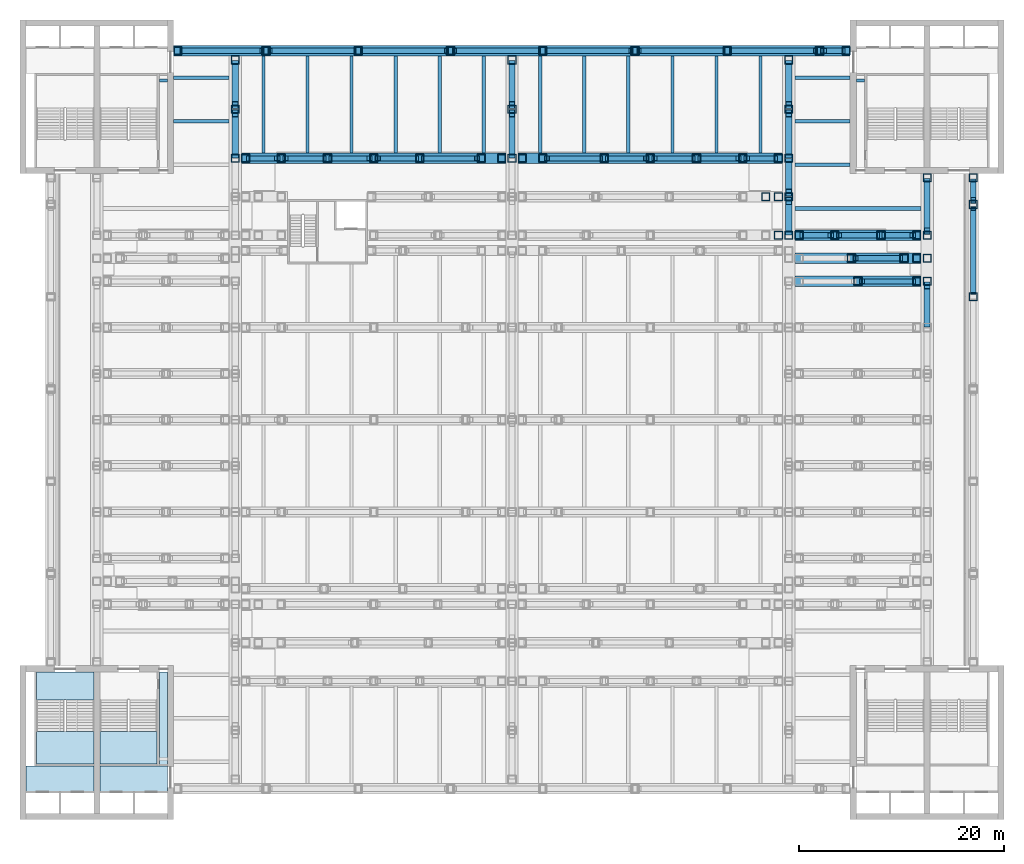
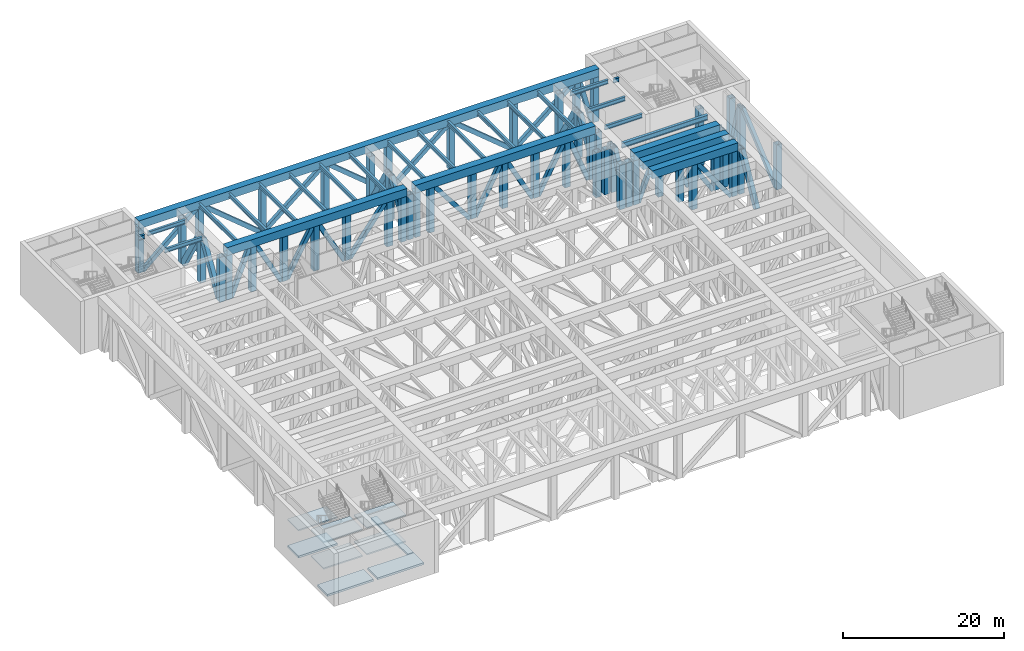
# One storey, part 5 of 20: 94 members, 20 beams, 9 slabs, 2 elements without a shape of their own.
"""IFC4 building model written with IfcOpenShell, lengths in metres."""

from ifc_helpers import new_model, si_unit, direction, frame, origin, origin_2d, place, context, subcontext, project, spatial, polyline, hollow_rectangle, i_section, outline, extrude, material, layer, layer_set, material_profile, profile_set, type_object, element, aggregate, save


model = new_model("IFC4")

# Units and contexts
model_context = context("Model", 3, precision=1e-05, world=origin(), true_north=direction((0.0, 1.0)))
body_context = subcontext(model_context, "Body", "Model", "MODEL_VIEW")
ifc_project = project(units=[si_unit("LENGTHUNIT", "METRE"), si_unit("AREAUNIT", "SQUARE_METRE"), si_unit("VOLUMEUNIT", "CUBIC_METRE"), si_unit("PLANEANGLEUNIT", "RADIAN"), si_unit("MASSUNIT", "GRAM", prefix="KILO")], contexts=[model_context])

# Site, building, storey
site_placement = place(None, origin())
site = spatial("IfcSite", under=ifc_project, at=site_placement, CompositionType="ELEMENT")
building_placement = place(site_placement, origin())
building = spatial("IfcBuilding", under=site, at=building_placement, Name="Corbelhall Arena Tower", CompositionType="ELEMENT")
storey_placement = place(building_placement, frame((0.0, 0.0, 52.0)))
storey = spatial("IfcBuildingStorey", under=building, at=storey_placement, Name="L07", CompositionType="ELEMENT", Elevation=52.0)

# Beams
ifc_material_1 = material(Name="Steel ASTM A992 Gr50", Category="steel")
ifc_material_profile_1 = material_profile(ifc_material_1, i_section(OverallWidth=0.323974609375, OverallDepth=0.611083984375, WebThickness=0.0126953125, FlangeThickness=0.01904296875, at=origin_2d()))
ifc_profile_set_1 = profile_set([ifc_material_profile_1], Name="Steel ASTM A992 Gr50")
beam_type_1 = type_object("IfcBeamType", Name="PO-BEAM-W24X104", PredefinedType="BEAM", material=ifc_profile_set_1)
for number, where, z_axis, x_axis, name in (
    (1, (-33.0, 29.125, 7.39453125), (1.0, 0.0, 0.0), (0.0, 1.0, 0.0), "DECK BEAM TOP 13.3"),
    (2, (-33.0, 33.375, 7.39453125), (1.0, 0.0, 0.0), (0.0, 1.0, 0.0), "DECK BEAM TOP 13.4"),
):
    element("IfcBeam", number, at=place(storey_placement, frame(where, z_axis=z_axis, x_axis=x_axis)), inside=storey, type_object=beam_type_1, Name=name, PredefinedType="BEAM", context=body_context, shape_type="SweptSolid", body=[
        extrude(i_section(OverallWidth=0.323974609375, OverallDepth=0.611083984375, WebThickness=0.0126953125, FlangeThickness=0.01904296875, at=origin_2d()), origin(), (0.0, 0.0, 1.0), 5.39990234375),
    ])
for number, where, z_axis, x_axis, name in (
    (3, (-24.25, 26.0, 7.39453125), (0.0, 1.0, 0.0), (-1.0, 0.0, 0.0), "DECK BEAM TOP 24.1"),
    (4, (-19.949951171875, 26.0, 7.39453125), (0.0, 1.0, 0.0), (-1.0, 0.0, 0.0), "DECK BEAM TOP 24.2"),
    (5, (-15.64990234375, 26.0, 7.39453125), (0.0, 1.0, 0.0), (-1.0, 0.0, 0.0), "DECK BEAM TOP 24.3"),
    (6, (-11.35009765625, 26.0, 7.39453125), (0.0, 1.0, 0.0), (-1.0, 0.0, 0.0), "DECK BEAM TOP 24.4"),
    (7, (-7.050048828125, 26.0, 7.39453125), (0.0, 1.0, 0.0), (-1.0, 0.0, 0.0), "DECK BEAM TOP 24.5"),
    (8, (-2.75, 26.0, 7.39453125), (0.0, 1.0, 0.0), (-1.0, 0.0, 0.0), "DECK BEAM TOP 24.6"),
    (9, (2.75, 26.0, 7.39453125), (0.0, 1.0, 0.0), (-1.0, 0.0, 0.0), "DECK BEAM TOP 39.1"),
    (10, (7.050048828125, 26.0, 7.39453125), (0.0, 1.0, 0.0), (-1.0, 0.0, 0.0), "DECK BEAM TOP 39.2"),
    (11, (11.35009765625, 26.0, 7.39453125), (0.0, 1.0, 0.0), (-1.0, 0.0, 0.0), "DECK BEAM TOP 39.3"),
    (12, (15.64990234375, 26.0, 7.39453125), (0.0, 1.0, 0.0), (-1.0, 0.0, 0.0), "DECK BEAM TOP 39.4"),
    (13, (19.949951171875, 26.0, 7.39453125), (0.0, 1.0, 0.0), (-1.0, 0.0, 0.0), "DECK BEAM TOP 39.5"),
    (14, (24.25, 26.0, 7.39453125), (0.0, 1.0, 0.0), (-1.0, 0.0, 0.0), "DECK BEAM TOP 39.6"),
):
    element("IfcBeam", number, at=place(storey_placement, frame(where, z_axis=z_axis, x_axis=x_axis)), inside=storey, type_object=beam_type_1, Name=name, PredefinedType="BEAM", context=body_context, shape_type="SweptSolid", body=[
        extrude(i_section(OverallWidth=0.323974609375, OverallDepth=0.611083984375, WebThickness=0.0126953125, FlangeThickness=0.01904296875, at=origin_2d()), origin(), (0.0, 0.0, 1.0), 9.5),
    ])
for number, where, z_axis, x_axis, name in (
    (15, (27.60009765625, 24.875, 7.39453125), (1.0, 0.0, 0.0), (0.0, 1.0, 0.0), "DECK BEAM TOP 41.2"),
    (16, (27.60009765625, 29.125, 7.39453125), (1.0, 0.0, 0.0), (0.0, 1.0, 0.0), "DECK BEAM TOP 41.3"),
    (17, (27.60009765625, 33.375, 7.39453125), (1.0, 0.0, 0.0), (0.0, 1.0, 0.0), "DECK BEAM TOP 41.4"),
):
    element("IfcBeam", number, at=place(storey_placement, frame(where, z_axis=z_axis, x_axis=x_axis)), inside=storey, type_object=beam_type_1, Name=name, PredefinedType="BEAM", context=body_context, shape_type="SweptSolid", body=[
        extrude(i_section(OverallWidth=0.323974609375, OverallDepth=0.611083984375, WebThickness=0.0126953125, FlangeThickness=0.01904296875, at=origin_2d()), origin(), (0.0, 0.0, 1.0), 5.39990234375),
    ])
for number, where, z_axis, x_axis, name in (
    (18, (33.60009765625, 33.10009765625, 7.39453125), (1.0, 0.0, 0.0), (0.0, 1.0, 0.0), "Strip floor header beam NE"),
    (19, (-34.409912109375, 33.10009765625, 7.39453125), (1.0, 0.0, 0.0), (0.0, 1.0, 0.0), "Strip floor header beam NW"),
):
    element("IfcBeam", number, at=place(storey_placement, frame(where, z_axis=z_axis, x_axis=x_axis)), inside=storey, type_object=beam_type_1, Name=name, PredefinedType="BEAM", context=body_context, shape_type="SweptSolid", body=[
        extrude(i_section(OverallWidth=0.323974609375, OverallDepth=0.611083984375, WebThickness=0.0126953125, FlangeThickness=0.01904296875, at=origin_2d()), origin(), (0.0, 0.0, 1.0), 0.809814453125),
    ])
ifc_material_profile_2 = material_profile(ifc_material_1, i_section(OverallWidth=0.381103515625, OverallDepth=0.77294921875, WebThickness=0.0166015625, FlangeThickness=0.027099609375, at=origin_2d()))
ifc_profile_set_2 = profile_set([ifc_material_profile_2], Name="Steel ASTM A992 Gr50")
beam_type_2 = type_object("IfcBeamType", Name="PO-BEAM-W30X173", PredefinedType="BEAM", material=ifc_profile_set_2)
beam_placement = place(storey_placement, frame((27.60009765625, 20.625, 7.3134765625), z_axis=(1.0, 0.0, 0.0), x_axis=(0.0, 1.0, 0.0)))
element("IfcBeam", 20, at=beam_placement, inside=storey, type_object=beam_type_2, Name="DECK BEAM TOP 41.1", PredefinedType="BEAM", context=body_context, shape_type="SweptSolid", body=[
    extrude(i_section(OverallWidth=0.381103515625, OverallDepth=0.77294921875, WebThickness=0.0166015625, FlangeThickness=0.027099609375, at=origin_2d()), origin(), (0.0, 0.0, 1.0), 12.2998046875),
])

# Members
ifc_material_2 = material(Name="Steel ASTM A572 Gr50", Category="steel")
ifc_material_profile_3 = material_profile(ifc_material_2, hollow_rectangle(XDim=0.5, YDim=0.60009765625, WallThickness=0.030029296875, at=origin_2d()))
ifc_profile_set_3 = profile_set([ifc_material_profile_3], Name="Steel ASTM A572 Gr50")
member_type_1 = type_object("IfcMemberType", Name="PO-BRACE-600X500X30", PredefinedType="BRACE", material=ifc_profile_set_3)
member_1_placement = place(storey_placement, frame((-32.199951171875, 36.0, 0.0), z_axis=(0.753772430258, 0.0, 0.657135544148), x_axis=(0.0, 1.0, 0.0)))
element("IfcMember", 21, at=member_1_placement, inside=storey, type_object=member_type_1, Name="TRUSS EDGE-N BRACE 2.1", PredefinedType="BRACE", context=body_context, shape_type="SweptSolid", body=[
    extrude(hollow_rectangle(XDim=0.5, YDim=0.60009765625, WallThickness=0.030029296875, at=origin_2d()), origin(), (0.0, 0.0, 1.0), 10.347900390625),
])
for number, where, z_axis, x_axis, name in (
    (22, (-23.60009765625, 36.0, 6.800048828125), (0.769763178873, 0.0, -0.638329576669), (0.0, 1.0, 0.0), "TRUSS EDGE-N BRACE 2.2"),
    (23, (-14.60009765625, 36.0, 0.0), (0.769763178873, 0.0, 0.638329576669), (0.0, 1.0, 0.0), "TRUSS EDGE-N BRACE 2.3"),
    (24, (-5.60009765625, 36.0, 6.800048828125), (0.769763178873, 0.0, -0.638329576669), (0.0, 1.0, 0.0), "TRUSS EDGE-N BRACE 2.4"),
    (25, (3.39990234375, 36.0, 0.0), (0.769763178873, 0.0, 0.638329576669), (0.0, 1.0, 0.0), "TRUSS EDGE-N BRACE 2.5"),
    (26, (12.39990234375, 36.0, 6.800048828125), (0.769763178873, 0.0, -0.638329576669), (0.0, 1.0, 0.0), "TRUSS EDGE-N BRACE 2.6"),
    (27, (21.39990234375, 36.0, 0.0), (0.769763178873, 0.0, 0.638329576669), (0.0, 1.0, 0.0), "TRUSS EDGE-N BRACE 2.7"),
):
    element("IfcMember", number, at=place(storey_placement, frame(where, z_axis=z_axis, x_axis=x_axis)), inside=storey, type_object=member_type_1, Name=name, PredefinedType="BRACE", context=body_context, shape_type="SweptSolid", body=[
        extrude(hollow_rectangle(XDim=0.5, YDim=0.60009765625, WallThickness=0.030029296875, at=origin_2d()), origin(), (0.0, 0.0, 1.0), 10.65283203125),
    ])
member_2_placement = place(storey_placement, frame((30.39990234375, 36.0, 6.800048828125), z_axis=(0.255897330119, 0.0, -0.966703965254), x_axis=(0.0, 1.0, 0.0)))
element("IfcMember", 28, at=member_2_placement, inside=storey, type_object=member_type_1, Name="TRUSS EDGE-N BRACE 2.8", PredefinedType="BRACE", context=body_context, shape_type="SweptSolid", body=[
    extrude(hollow_rectangle(XDim=0.5, YDim=0.60009765625, WallThickness=0.030029296875, at=origin_2d()), origin(), (0.0, 0.0, 1.0), 7.0341796875),
])
member_3_placement = place(storey_placement, frame((45.0, 12.39990234375, 0.0), z_axis=(0.0, 0.769763178873, 0.638329576669), x_axis=(-1.0, 0.0, 0.0)))
element("IfcMember", 29, at=member_3_placement, inside=storey, type_object=member_type_1, Name="TRUSS EDGE-E BRACE 2.5", PredefinedType="BRACE", context=body_context, shape_type="SweptSolid", body=[
    extrude(hollow_rectangle(XDim=0.5, YDim=0.60009765625, WallThickness=0.030029296875, at=origin_2d()), origin(), (0.0, 0.0, 1.0), 10.65283203125),
])
member_4_placement = place(storey_placement, frame((45.0, 21.39990234375, 6.800048828125), z_axis=(0.0, 0.255897330119, -0.966703965254), x_axis=(-1.0, 0.0, 0.0)))
element("IfcMember", 30, at=member_4_placement, inside=storey, type_object=member_type_1, Name="TRUSS EDGE-E BRACE 2.6", PredefinedType="BRACE", context=body_context, shape_type="SweptSolid", body=[
    extrude(hollow_rectangle(XDim=0.5, YDim=0.60009765625, WallThickness=0.030029296875, at=origin_2d()), origin(), (0.0, 0.0, 1.0), 7.0341796875),
])
member_5_placement = place(storey_placement, frame((34.14990234375, 13.5, 6.800048828125), z_axis=(0.588537525925, 0.0, -0.808469900848), x_axis=(0.0, 1.0, 0.0)))
element("IfcMember", 31, at=member_5_placement, inside=storey, type_object=member_type_1, Name="TRUSS SEC-N13.50-3 BRACE 2.2", PredefinedType="BRACE", context=body_context, shape_type="SweptSolid", body=[
    extrude(hollow_rectangle(XDim=0.5, YDim=0.60009765625, WallThickness=0.030029296875, at=origin_2d()), origin(), (0.0, 0.0, 1.0), 8.410888671875),
])
member_6_placement = place(storey_placement, frame((33.52490234375, 15.75, 6.800048828125), z_axis=(0.536689259852, 0.0, -0.843779970347), x_axis=(0.0, 1.0, 0.0)))
element("IfcMember", 32, at=member_6_placement, inside=storey, type_object=member_type_1, Name="TRUSS SEC-N15.75-3 BRACE 2.2", PredefinedType="BRACE", context=body_context, shape_type="SweptSolid", body=[
    extrude(hollow_rectangle(XDim=0.5, YDim=0.60009765625, WallThickness=0.030029296875, at=origin_2d()), origin(), (0.0, 0.0, 1.0), 8.05908203125),
])
member_7_placement = place(storey_placement, frame((28.39990234375, 18.0, 0.0), z_axis=(0.369053718093, 0.0, 0.929408066008), x_axis=(0.0, 1.0, 0.0)))
element("IfcMember", 33, at=member_7_placement, inside=storey, type_object=member_type_1, Name="TRUSS SEC-N18.00-3 BRACE 2.1", PredefinedType="BRACE", context=body_context, shape_type="SweptSolid", body=[
    extrude(hollow_rectangle(XDim=0.5, YDim=0.60009765625, WallThickness=0.030029296875, at=origin_2d()), origin(), (0.0, 0.0, 1.0), 7.316650390625),
])
member_8_placement = place(storey_placement, frame((31.89990234375, 18.0, 6.800048828125), z_axis=(0.477963647565, 0.0, -0.878379617026), x_axis=(0.0, 1.0, 0.0)))
element("IfcMember", 34, at=member_8_placement, inside=storey, type_object=member_type_1, Name="TRUSS SEC-N18.00-3 BRACE 2.2", PredefinedType="BRACE", context=body_context, shape_type="SweptSolid", body=[
    extrude(hollow_rectangle(XDim=0.5, YDim=0.60009765625, WallThickness=0.030029296875, at=origin_2d()), origin(), (0.0, 0.0, 1.0), 7.74169921875),
])
for number, where, z_axis, x_axis, name in (
    (35, (36.39990234375, 18.0, 0.0), (0.369053718093, 0.0, 0.929408066008), (0.0, 1.0, 0.0), "TRUSS SEC-N18.00-3 BRACE 2.3"),
    (36, (-25.60009765625, 25.5, 0.0), (0.369053718093, 0.0, 0.929408066008), (0.0, 1.0, 0.0), "TRUSS SEC-N25.50-1 BRACE 2.1"),
):
    element("IfcMember", number, at=place(storey_placement, frame(where, z_axis=z_axis, x_axis=x_axis)), inside=storey, type_object=member_type_1, Name=name, PredefinedType="BRACE", context=body_context, shape_type="SweptSolid", body=[
        extrude(hollow_rectangle(XDim=0.5, YDim=0.60009765625, WallThickness=0.030029296875, at=origin_2d()), origin(), (0.0, 0.0, 1.0), 7.316650390625),
    ])
for number, where, z_axis, x_axis, name in (
    (37, (-22.10009765625, 25.5, 6.800048828125), (0.477963647565, 0.0, -0.878379617026), (0.0, 1.0, 0.0), "TRUSS SEC-N25.50-1 BRACE 2.2"),
    (38, (-17.60009765625, 25.5, 0.0), (0.477963647565, 0.0, 0.878379617026), (0.0, 1.0, 0.0), "TRUSS SEC-N25.50-1 BRACE 2.3"),
    (39, (-13.10009765625, 25.5, 6.800048828125), (0.477963647565, 0.0, -0.878379617026), (0.0, 1.0, 0.0), "TRUSS SEC-N25.50-1 BRACE 2.4"),
):
    element("IfcMember", number, at=place(storey_placement, frame(where, z_axis=z_axis, x_axis=x_axis)), inside=storey, type_object=member_type_1, Name=name, PredefinedType="BRACE", context=body_context, shape_type="SweptSolid", body=[
        extrude(hollow_rectangle(XDim=0.5, YDim=0.60009765625, WallThickness=0.030029296875, at=origin_2d()), origin(), (0.0, 0.0, 1.0), 7.74169921875),
    ])
for number, where, z_axis, x_axis, name in (
    (40, (-8.60009765625, 25.5, 0.0), (0.607461751861, 0.0, 0.794348928385), (0.0, 1.0, 0.0), "TRUSS SEC-N25.50-1 BRACE 2.5"),
    (41, (3.39990234375, 25.5, 6.800048828125), (0.607461751861, 0.0, -0.794348928385), (0.0, 1.0, 0.0), "TRUSS SEC-N25.50-2 BRACE 2.2"),
):
    element("IfcMember", number, at=place(storey_placement, frame(where, z_axis=z_axis, x_axis=x_axis)), inside=storey, type_object=member_type_1, Name=name, PredefinedType="BRACE", context=body_context, shape_type="SweptSolid", body=[
        extrude(hollow_rectangle(XDim=0.5, YDim=0.60009765625, WallThickness=0.030029296875, at=origin_2d()), origin(), (0.0, 0.0, 1.0), 8.560546875),
    ])
for number, where, z_axis, x_axis, name in (
    (42, (9.39990234375, 25.5, 0.0), (0.477963647565, 0.0, 0.878379617026), (0.0, 1.0, 0.0), "TRUSS SEC-N25.50-2 BRACE 2.3"),
    (43, (13.89990234375, 25.5, 6.800048828125), (0.477963647565, 0.0, -0.878379617026), (0.0, 1.0, 0.0), "TRUSS SEC-N25.50-2 BRACE 2.4"),
    (44, (18.39990234375, 25.5, 0.0), (0.477963647565, 0.0, 0.878379617026), (0.0, 1.0, 0.0), "TRUSS SEC-N25.50-2 BRACE 2.5"),
):
    element("IfcMember", number, at=place(storey_placement, frame(where, z_axis=z_axis, x_axis=x_axis)), inside=storey, type_object=member_type_1, Name=name, PredefinedType="BRACE", context=body_context, shape_type="SweptSolid", body=[
        extrude(hollow_rectangle(XDim=0.5, YDim=0.60009765625, WallThickness=0.030029296875, at=origin_2d()), origin(), (0.0, 0.0, 1.0), 7.74169921875),
    ])
member_9_placement = place(storey_placement, frame((22.89990234375, 25.5, 6.800048828125), z_axis=(0.369053718093, 0.0, -0.929408066008), x_axis=(0.0, 1.0, 0.0)))
element("IfcMember", 45, at=member_9_placement, inside=storey, type_object=member_type_1, Name="TRUSS SEC-N25.50-2 BRACE 2.6", PredefinedType="BRACE", context=body_context, shape_type="SweptSolid", body=[
    extrude(hollow_rectangle(XDim=0.5, YDim=0.60009765625, WallThickness=0.030029296875, at=origin_2d()), origin(), (0.0, 0.0, 1.0), 7.316650390625),
])
ifc_material_profile_4 = material_profile(ifc_material_2, hollow_rectangle(XDim=0.60009765625, YDim=0.800048828125, WallThickness=0.0400390625, at=origin_2d()))
ifc_profile_set_4 = profile_set([ifc_material_profile_4], Name="Steel ASTM A572 Gr50")
member_type_2 = type_object("IfcMemberType", Name="PO-BRACE-800X600X40", PredefinedType="BRACE", material=ifc_profile_set_4)
for number, where, z_axis, x_axis, name in (
    (46, (-27.0, 25.89990234375, 0.0), (0.0, 0.507017421779, 0.861935806202), (-1.0, 0.0, 0.0), "TRUSS PRI--27.0 BRACE 2.19"),
    (47, (-27.0, 30.699951171875, 6.800048828125), (0.0, 0.507017421779, -0.861935806202), (-1.0, 0.0, 0.0), "TRUSS PRI--27.0 BRACE 2.20"),
    (48, (0.0, 25.89990234375, 0.0), (0.0, 0.507017421779, 0.861935806202), (-1.0, 0.0, 0.0), "TRUSS PRI-+0.0 BRACE 2.13"),
    (49, (0.0, 30.699951171875, 6.800048828125), (0.0, 0.507017421779, -0.861935806202), (-1.0, 0.0, 0.0), "TRUSS PRI-+0.0 BRACE 2.14"),
):
    element("IfcMember", number, at=place(storey_placement, frame(where, z_axis=z_axis, x_axis=x_axis)), inside=storey, type_object=member_type_2, Name=name, PredefinedType="BRACE", context=body_context, shape_type="SweptSolid", body=[
        extrude(hollow_rectangle(XDim=0.60009765625, YDim=0.800048828125, WallThickness=0.0400390625, at=origin_2d()), origin(), (0.0, 0.0, 1.0), 7.88916015625),
    ])
for number, where, z_axis, x_axis, name in (
    (50, (27.0, 18.39990234375, 0.0), (0.0, 0.398005781953, 0.917382906715), (-1.0, 0.0, 0.0), "TRUSS PRI-+27.0 BRACE 2.17"),
    (51, (27.0, 22.14990234375, 6.800048828125), (0.0, 0.398005781953, -0.917382906715), (-1.0, 0.0, 0.0), "TRUSS PRI-+27.0 BRACE 2.18"),
):
    element("IfcMember", number, at=place(storey_placement, frame(where, z_axis=z_axis, x_axis=x_axis)), inside=storey, type_object=member_type_2, Name=name, PredefinedType="BRACE", context=body_context, shape_type="SweptSolid", body=[
        extrude(hollow_rectangle(XDim=0.60009765625, YDim=0.800048828125, WallThickness=0.0400390625, at=origin_2d()), origin(), (0.0, 0.0, 1.0), 7.412353515625),
    ])
for number, where, z_axis, x_axis, name in (
    (52, (27.0, 25.89990234375, 0.0), (0.0, 0.507017421779, 0.861935806202), (-1.0, 0.0, 0.0), "TRUSS PRI-+27.0 BRACE 2.19"),
    (53, (27.0, 30.699951171875, 6.800048828125), (0.0, 0.507017421779, -0.861935806202), (-1.0, 0.0, 0.0), "TRUSS PRI-+27.0 BRACE 2.20"),
):
    element("IfcMember", number, at=place(storey_placement, frame(where, z_axis=z_axis, x_axis=x_axis)), inside=storey, type_object=member_type_2, Name=name, PredefinedType="BRACE", context=body_context, shape_type="SweptSolid", body=[
        extrude(hollow_rectangle(XDim=0.60009765625, YDim=0.800048828125, WallThickness=0.0400390625, at=origin_2d()), origin(), (0.0, 0.0, 1.0), 7.88916015625),
    ])
member_10_placement = place(storey_placement, frame((40.5, 9.39990234375, 0.0), z_axis=(0.0, 0.477963647565, 0.878379617026), x_axis=(-1.0, 0.0, 0.0)))
element("IfcMember", 54, at=member_10_placement, inside=storey, type_object=member_type_2, Name="TRUSS PRI-+40.5 BRACE 2.9", PredefinedType="BRACE", context=body_context, shape_type="SweptSolid", body=[
    extrude(hollow_rectangle(XDim=0.60009765625, YDim=0.800048828125, WallThickness=0.0400390625, at=origin_2d()), origin(), (0.0, 0.0, 1.0), 7.74169921875),
])
member_11_placement = place(storey_placement, frame((40.5, 18.39990234375, 6.800048828125), z_axis=(0.0, 0.576684349177, -0.816967050385), x_axis=(-1.0, 0.0, 0.0)))
element("IfcMember", 55, at=member_11_placement, inside=storey, type_object=member_type_2, Name="TRUSS PRI-+40.5 BRACE 2.12", PredefinedType="BRACE", context=body_context, shape_type="SweptSolid", body=[
    extrude(hollow_rectangle(XDim=0.60009765625, YDim=0.800048828125, WallThickness=0.0400390625, at=origin_2d()), origin(), (0.0, 0.0, 1.0), 8.323486328125),
])
ifc_material_profile_5 = material_profile(ifc_material_2, hollow_rectangle(XDim=1.0, YDim=1.199951171875, WallThickness=0.06005859375, at=origin_2d()))
ifc_profile_set_5 = profile_set([ifc_material_profile_5], Name="Steel ASTM A572 Gr50")
member_type_3 = type_object("IfcMemberType", Name="PO-CHORD-1200X1000X60", PredefinedType="CHORD", material=ifc_profile_set_5)
member_12_placement = place(storey_placement, frame((-33.0, 36.0, 7.39990234375), z_axis=(1.0, 0.0, 0.0), x_axis=(0.0, 1.0, 0.0)))
element("IfcMember", 56, at=member_12_placement, inside=storey, type_object=member_type_3, Name="TRUSS EDGE-N TOP CHORD", PredefinedType="CHORD", context=body_context, shape_type="SweptSolid", body=[
    extrude(hollow_rectangle(XDim=1.0, YDim=1.199951171875, WallThickness=0.06005859375, at=origin_2d()), origin(), (0.0, 0.0, 1.0), 66.0),
])
for number, where, z_axis, x_axis, name in (
    (57, (27.60009765625, 13.5, 7.39990234375), (1.0, 0.0, 0.0), (0.0, 1.0, 0.0), "TRUSS SEC-N13.50-3 TOP CHORD"),
    (58, (27.60009765625, 15.75, 7.39990234375), (1.0, 0.0, 0.0), (0.0, 1.0, 0.0), "TRUSS SEC-N15.75-3 TOP CHORD"),
    (59, (27.60009765625, 18.0, 7.39990234375), (1.0, 0.0, 0.0), (0.0, 1.0, 0.0), "TRUSS SEC-N18.00-3 TOP CHORD"),
):
    element("IfcMember", number, at=place(storey_placement, frame(where, z_axis=z_axis, x_axis=x_axis)), inside=storey, type_object=member_type_3, Name=name, PredefinedType="CHORD", context=body_context, shape_type="SweptSolid", body=[
        extrude(hollow_rectangle(XDim=1.0, YDim=1.199951171875, WallThickness=0.06005859375, at=origin_2d()), origin(), (0.0, 0.0, 1.0), 12.2998046875),
    ])
for number, where, z_axis, x_axis, name in (
    (60, (-26.39990234375, 25.5, 7.39990234375), (1.0, 0.0, 0.0), (0.0, 1.0, 0.0), "TRUSS SEC-N25.50-1 TOP CHORD"),
    (61, (0.60009765625, 25.5, 7.39990234375), (1.0, 0.0, 0.0), (0.0, 1.0, 0.0), "TRUSS SEC-N25.50-2 TOP CHORD"),
):
    element("IfcMember", number, at=place(storey_placement, frame(where, z_axis=z_axis, x_axis=x_axis)), inside=storey, type_object=member_type_3, Name=name, PredefinedType="CHORD", context=body_context, shape_type="SweptSolid", body=[
        extrude(hollow_rectangle(XDim=1.0, YDim=1.199951171875, WallThickness=0.06005859375, at=origin_2d()), origin(), (0.0, 0.0, 1.0), 25.7998046875),
    ])
ifc_material_profile_6 = material_profile(ifc_material_2, hollow_rectangle(XDim=0.800048828125, YDim=0.800048828125, WallThickness=0.050048828125, at=origin_2d()))
ifc_profile_set_6 = profile_set([ifc_material_profile_6], Name="Steel ASTM A572 Gr50")
member_type_4 = type_object("IfcMemberType", Name="PO-POST-800", PredefinedType="POST", material=ifc_profile_set_6)
for number, where, z_axis, x_axis, name in (
    (62, (-32.60009765625, 36.0, 0.0), (0.0, 0.0, 1.0), (1.0, 0.0, 0.0), "TRUSS EDGE-N POST 2.1"),
    (63, (-24.0, 36.0, 0.0), (0.0, 0.0, 1.0), (1.0, 0.0, 0.0), "TRUSS EDGE-N POST 2.2"),
    (64, (-15.0, 36.0, 0.0), (0.0, 0.0, 1.0), (1.0, 0.0, 0.0), "TRUSS EDGE-N POST 2.3"),
    (65, (-6.0, 36.0, 0.0), (0.0, 0.0, 1.0), (1.0, 0.0, 0.0), "TRUSS EDGE-N POST 2.4"),
    (66, (3.0, 36.0, 0.0), (0.0, 0.0, 1.0), (1.0, 0.0, 0.0), "TRUSS EDGE-N POST 2.5"),
    (67, (12.0, 36.0, 0.0), (0.0, 0.0, 1.0), (1.0, 0.0, 0.0), "TRUSS EDGE-N POST 2.6"),
    (68, (21.0, 36.0, 0.0), (0.0, 0.0, 1.0), (1.0, 0.0, 0.0), "TRUSS EDGE-N POST 2.7"),
    (69, (30.0, 36.0, 0.0), (0.0, 0.0, 1.0), (1.0, 0.0, 0.0), "TRUSS EDGE-N POST 2.8"),
    (70, (32.60009765625, 36.0, 0.0), (0.0, 0.0, 1.0), (1.0, 0.0, 0.0), "TRUSS EDGE-N POST 2.9"),
    (71, (45.0, 12.0, 0.0), (0.0, 0.0, 1.0), (1.0, 0.0, 0.0), "TRUSS EDGE-E POST 2.5"),
    (72, (45.0, 21.0, 0.0), (0.0, 0.0, 1.0), (1.0, 0.0, 0.0), "TRUSS EDGE-E POST 2.6"),
    (73, (45.0, 23.60009765625, 0.0), (0.0, 0.0, 1.0), (1.0, 0.0, 0.0), "TRUSS EDGE-E POST 2.7"),
    (74, (33.75, 13.5, 0.0), (0.0, 0.0, 1.0), (1.0, 0.0, 0.0), "TRUSS SEC-N13.50-3 POST 2.2"),
    (75, (39.5, 13.5, 0.0), (0.0, 0.0, 1.0), (1.0, 0.0, 0.0), "TRUSS SEC-N13.50-3 POST 2.3"),
    (76, (33.125, 15.75, 0.0), (0.0, 0.0, 1.0), (1.0, 0.0, 0.0), "TRUSS SEC-N15.75-3 POST 2.2"),
    (77, (38.25, 15.75, 0.0), (0.0, 0.0, 1.0), (1.0, 0.0, 0.0), "TRUSS SEC-N15.75-3 POST 2.3"),
    (78, (39.5, 15.75, 0.0), (0.0, 0.0, 1.0), (1.0, 0.0, 0.0), "TRUSS SEC-N15.75-3 POST 2.4"),
    (79, (26.0, 18.0, 0.0), (0.0, 0.0, 1.0), (1.0, 0.0, 0.0), "TRUSS SEC-N18.00-2 POST 2.6"),
    (80, (28.0, 18.0, 0.0), (0.0, 0.0, 1.0), (1.0, 0.0, 0.0), "TRUSS SEC-N18.00-3 POST 2.1"),
    (81, (31.5, 18.0, 0.0), (0.0, 0.0, 1.0), (1.0, 0.0, 0.0), "TRUSS SEC-N18.00-3 POST 2.2"),
    (82, (36.0, 18.0, 0.0), (0.0, 0.0, 1.0), (1.0, 0.0, 0.0), "TRUSS SEC-N18.00-3 POST 2.3"),
    (83, (39.5, 18.0, 0.0), (0.0, 0.0, 1.0), (1.0, 0.0, 0.0), "TRUSS SEC-N18.00-3 POST 2.4"),
    (84, (24.75, 21.75, 0.0), (0.0, 0.0, 1.0), (1.0, 0.0, 0.0), "TRUSS SEC-N21.75-2 POST 2.5"),
    (85, (26.0, 21.75, 0.0), (0.0, 0.0, 1.0), (1.0, 0.0, 0.0), "TRUSS SEC-N21.75-2 POST 2.6"),
    (86, (-26.0, 25.5, 0.0), (0.0, 0.0, 1.0), (1.0, 0.0, 0.0), "TRUSS SEC-N25.50-1 POST 2.1"),
    (87, (-22.5, 25.5, 0.0), (0.0, 0.0, 1.0), (1.0, 0.0, 0.0), "TRUSS SEC-N25.50-1 POST 2.2"),
    (88, (-18.0, 25.5, 0.0), (0.0, 0.0, 1.0), (1.0, 0.0, 0.0), "TRUSS SEC-N25.50-1 POST 2.3"),
    (89, (-13.5, 25.5, 0.0), (0.0, 0.0, 1.0), (1.0, 0.0, 0.0), "TRUSS SEC-N25.50-1 POST 2.4"),
    (90, (-9.0, 25.5, 0.0), (0.0, 0.0, 1.0), (1.0, 0.0, 0.0), "TRUSS SEC-N25.50-1 POST 2.5"),
    (91, (-3.0, 25.5, 0.0), (0.0, 0.0, 1.0), (1.0, 0.0, 0.0), "TRUSS SEC-N25.50-1 POST 2.6"),
    (92, (-1.0, 25.5, 0.0), (0.0, 0.0, 1.0), (1.0, 0.0, 0.0), "TRUSS SEC-N25.50-1 POST 2.7"),
    (93, (1.0, 25.5, 0.0), (0.0, 0.0, 1.0), (1.0, 0.0, 0.0), "TRUSS SEC-N25.50-2 POST 2.1"),
    (94, (3.0, 25.5, 0.0), (0.0, 0.0, 1.0), (1.0, 0.0, 0.0), "TRUSS SEC-N25.50-2 POST 2.2"),
    (95, (9.0, 25.5, 0.0), (0.0, 0.0, 1.0), (1.0, 0.0, 0.0), "TRUSS SEC-N25.50-2 POST 2.3"),
    (96, (13.5, 25.5, 0.0), (0.0, 0.0, 1.0), (1.0, 0.0, 0.0), "TRUSS SEC-N25.50-2 POST 2.4"),
    (97, (18.0, 25.5, 0.0), (0.0, 0.0, 1.0), (1.0, 0.0, 0.0), "TRUSS SEC-N25.50-2 POST 2.5"),
    (98, (22.5, 25.5, 0.0), (0.0, 0.0, 1.0), (1.0, 0.0, 0.0), "TRUSS SEC-N25.50-2 POST 2.6"),
    (99, (26.0, 25.5, 0.0), (0.0, 0.0, 1.0), (1.0, 0.0, 0.0), "TRUSS SEC-N25.50-2 POST 2.7"),
    (100, (-27.0, 25.5, 0.0), (0.0, 0.0, 1.0), (1.0, 0.0, 0.0), "TRUSS PRI--27.0 POST 2.19"),
    (101, (-27.0, 30.300048828125, 0.0), (0.0, 0.0, 1.0), (1.0, 0.0, 0.0), "TRUSS PRI--27.0 POST 2.20"),
    (102, (-27.0, 35.10009765625, 0.0), (0.0, 0.0, 1.0), (1.0, 0.0, 0.0), "TRUSS PRI--27.0 POST 2.21"),
    (103, (0.0, 25.5, 0.0), (0.0, 0.0, 1.0), (1.0, 0.0, 0.0), "TRUSS PRI-+0.0 POST 2.13"),
    (104, (0.0, 30.300048828125, 0.0), (0.0, 0.0, 1.0), (1.0, 0.0, 0.0), "TRUSS PRI-+0.0 POST 2.14"),
    (105, (0.0, 35.10009765625, 0.0), (0.0, 0.0, 1.0), (1.0, 0.0, 0.0), "TRUSS PRI-+0.0 POST 2.15"),
    (106, (27.0, 18.0, 0.0), (0.0, 0.0, 1.0), (1.0, 0.0, 0.0), "TRUSS PRI-+27.0 POST 2.17"),
    (107, (27.0, 21.75, 0.0), (0.0, 0.0, 1.0), (1.0, 0.0, 0.0), "TRUSS PRI-+27.0 POST 2.18"),
    (108, (27.0, 25.5, 0.0), (0.0, 0.0, 1.0), (1.0, 0.0, 0.0), "TRUSS PRI-+27.0 POST 2.19"),
    (109, (27.0, 30.300048828125, 0.0), (0.0, 0.0, 1.0), (1.0, 0.0, 0.0), "TRUSS PRI-+27.0 POST 2.20"),
    (110, (27.0, 35.10009765625, 0.0), (0.0, 0.0, 1.0), (1.0, 0.0, 0.0), "TRUSS PRI-+27.0 POST 2.21"),
    (111, (40.5, 13.5, 0.0), (0.0, 0.0, 1.0), (1.0, 0.0, 0.0), "TRUSS PRI-+40.5 POST 2.10"),
    (112, (40.5, 15.75, 0.0), (0.0, 0.0, 1.0), (1.0, 0.0, 0.0), "TRUSS PRI-+40.5 POST 2.11"),
    (113, (40.5, 18.0, 0.0), (0.0, 0.0, 1.0), (1.0, 0.0, 0.0), "TRUSS PRI-+40.5 POST 2.12"),
    (114, (40.5, 23.60009765625, 0.0), (0.0, 0.0, 1.0), (1.0, 0.0, 0.0), "TRUSS PRI-+40.5 POST 2.13"),
):
    element("IfcMember", number, at=place(storey_placement, frame(where, z_axis=z_axis, x_axis=x_axis)), inside=storey, type_object=member_type_4, Name=name, PredefinedType="POST", context=body_context, shape_type="SweptSolid", body=[
        extrude(hollow_rectangle(XDim=0.800048828125, YDim=0.800048828125, WallThickness=0.050048828125, at=origin_2d()), origin(), (0.0, 0.0, 1.0), 6.800048828125),
    ])

# Stair, slabs
ifc_material_3 = material(Name="Reinforced concrete C40/50", Category="concrete")
stair_type = type_object("IfcStairType", Name="AR-EXIT-STAIR", PredefinedType="HALF_TURN_STAIR", material=ifc_material_3)
stair_1_placement = place(storey_placement, origin())
stair_1 = element("IfcStair", 115, at=stair_1_placement, inside=storey, type_object=stair_type, Name="L07 exit stair AS7", PredefinedType="HALF_TURN_STAIR")
ifc_layer_1 = layer(ifc_material_3, 0.199951171875)
ifc_layer_set_1 = layer_set([ifc_layer_1], Name="AR-EXIT-LANDING")
slab_type_1 = type_object("IfcSlabType", Name="AR-EXIT-LANDING", PredefinedType="LANDING", material=ifc_layer_set_1)
slab_1_placement = place(storey_placement, frame((0.0, 0.0, 1.800048828125)))
slab_1 = element("IfcSlab", 116, at=slab_1_placement, type_object=slab_type_1, Name="AS7 landing 1", PredefinedType="LANDING", context=body_context, shape_type="SweptSolid", body=[
    extrude(outline(polyline([(-40.199951171875, -30.39990234375), (-40.199951171875, -33.60009765625), (-34.610107421875, -33.60009765625), (-34.610107421875, -30.39990234375), (-40.199951171875, -30.39990234375)])), origin(), (0.0, 0.0, 1.0), 0.199951171875),
])
slab_2_placement = place(storey_placement, frame((0.0, 0.0, 5.800048828125)))
slab_2 = element("IfcSlab", 117, at=slab_2_placement, type_object=slab_type_1, Name="AS7 landing 3", PredefinedType="LANDING", context=body_context, shape_type="SweptSolid", body=[
    extrude(outline(polyline([(-40.199951171875, -30.39990234375), (-40.199951171875, -33.60009765625), (-34.610107421875, -33.60009765625), (-34.610107421875, -30.39990234375), (-40.199951171875, -30.39990234375)])), origin(), (0.0, 0.0, 1.0), 0.199951171875),
])
aggregate(stair_1, [slab_1, slab_2])

stair_2_placement = place(storey_placement, origin())
stair_2 = element("IfcStair", 118, at=stair_2_placement, inside=storey, type_object=stair_type, Name="L07 exit stair AS8", PredefinedType="HALF_TURN_STAIR")
slab_3_placement = place(storey_placement, frame((0.0, 0.0, 1.800048828125)))
slab_3 = element("IfcSlab", 119, at=slab_3_placement, type_object=slab_type_1, Name="AS8 landing 1", PredefinedType="LANDING", context=body_context, shape_type="SweptSolid", body=[
    extrude(outline(polyline([(-46.389892578125, -30.39990234375), (-46.389892578125, -33.60009765625), (-40.800048828125, -33.60009765625), (-40.800048828125, -30.39990234375), (-46.389892578125, -30.39990234375)])), origin(), (0.0, 0.0, 1.0), 0.199951171875),
])
slab_4_placement = place(storey_placement, frame((0.0, 0.0, 3.800048828125)))
slab_4 = element("IfcSlab", 120, at=slab_4_placement, type_object=slab_type_1, Name="AS8 landing 2", PredefinedType="LANDING", context=body_context, shape_type="SweptSolid", body=[
    extrude(outline(polyline([(-46.389892578125, -24.60009765625), (-46.389892578125, -27.320068359375), (-40.800048828125, -27.320068359375), (-40.800048828125, -24.60009765625), (-46.389892578125, -24.60009765625)])), origin(), (0.0, 0.0, 1.0), 0.199951171875),
])
slab_5_placement = place(storey_placement, frame((0.0, 0.0, 5.800048828125)))
slab_5 = element("IfcSlab", 121, at=slab_5_placement, type_object=slab_type_1, Name="AS8 landing 3", PredefinedType="LANDING", context=body_context, shape_type="SweptSolid", body=[
    extrude(outline(polyline([(-46.389892578125, -30.39990234375), (-46.389892578125, -33.60009765625), (-40.800048828125, -33.60009765625), (-40.800048828125, -30.39990234375), (-46.389892578125, -30.39990234375)])), origin(), (0.0, 0.0, 1.0), 0.199951171875),
])
aggregate(stair_2, [slab_3, slab_4, slab_5])

# Slabs
ifc_layer_2 = layer(ifc_material_3, 0.300048828125)
ifc_layer_set_2 = layer_set([ifc_layer_2], Name="AR-STAIR-FLOOR")
slab_type_2 = type_object("IfcSlabType", Name="AR-STAIR-FLOOR", PredefinedType="FLOOR", material=ifc_layer_set_2)
slab_6_placement = place(storey_placement, frame((0.0, 0.0, -0.300048828125)))
element("IfcSlab", 122, at=slab_6_placement, inside=storey, type_object=slab_type_2, Name="Stair AS8 floor", PredefinedType="FLOOR", context=body_context, shape_type="SweptSolid", body=[
    extrude(outline(polyline([(-46.389892578125, -24.60009765625), (-40.800048828125, -24.60009765625), (-40.800048828125, -27.322998046875), (-46.389892578125, -27.322998046875), (-46.389892578125, -24.60009765625)])), origin(), (0.0, 0.0, 1.0), 0.300048828125),
])
slab_7_placement = place(storey_placement, frame((0.0, 0.0, -0.300048828125)))
element("IfcSlab", 123, at=slab_7_placement, inside=storey, type_object=slab_type_2, Name="Lift lobby floor SW", PredefinedType="FLOOR", context=body_context, shape_type="SweptSolid", body=[
    extrude(outline(polyline([(-40.800048828125, -36.300048828125), (-40.800048828125, -33.800048828125), (-47.39990234375, -33.800048828125), (-47.39990234375, -36.300048828125), (-40.800048828125, -36.300048828125)])), origin(), (0.0, 0.0, 1.0), 0.300048828125),
])
slab_8_placement = place(storey_placement, frame((0.0, 0.0, -0.300048828125)))
element("IfcSlab", 124, at=slab_8_placement, inside=storey, type_object=slab_type_2, Name="Lift lobby floor SW", PredefinedType="FLOOR", context=body_context, shape_type="SweptSolid", body=[
    extrude(outline(polyline([(-33.60009765625, -36.300048828125), (-33.60009765625, -33.800048828125), (-40.199951171875, -33.800048828125), (-40.199951171875, -36.300048828125), (-33.60009765625, -36.300048828125)])), origin(), (0.0, 0.0, 1.0), 0.300048828125),
])
slab_9_placement = place(storey_placement, frame((0.0, 0.0, -0.300048828125)))
element("IfcSlab", 125, at=slab_9_placement, inside=storey, type_object=slab_type_2, Name="Mechanical plant room 04 floor", PredefinedType="FLOOR", context=body_context, shape_type="SweptSolid", body=[
    extrude(outline(polyline([(-33.60009765625, -33.699951171875), (-33.60009765625, -24.60009765625), (-34.409912109375, -24.60009765625), (-34.409912109375, -33.699951171875), (-33.60009765625, -33.699951171875)])), origin(), (0.0, 0.0, 1.0), 0.300048828125),
])

save(model, "model.ifc")
